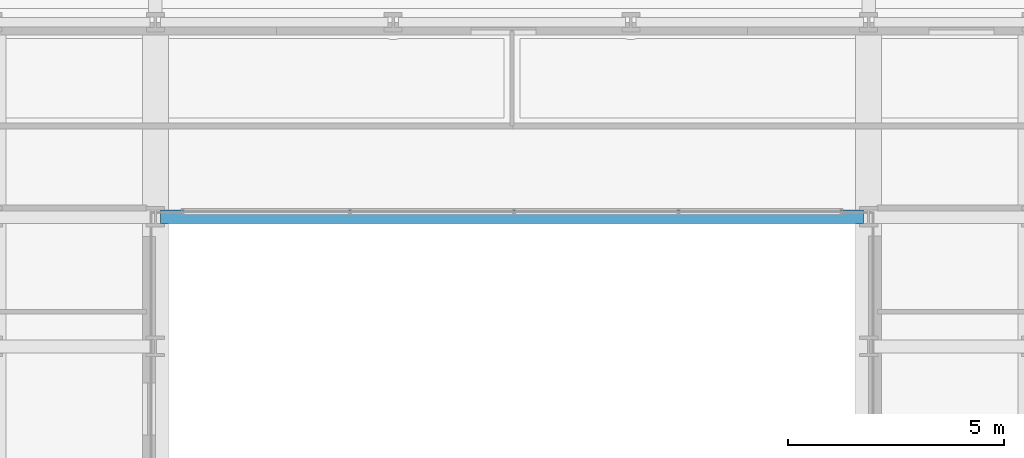
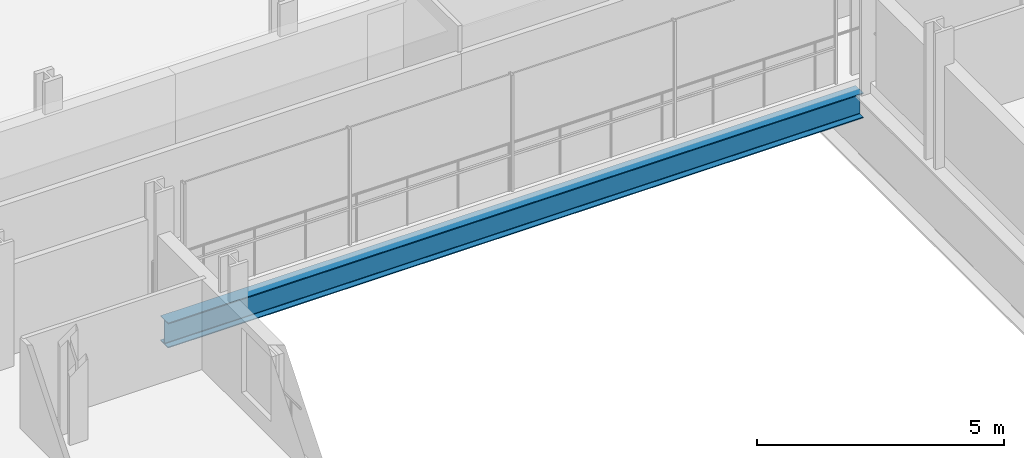
# One storey, part 10 of 38: 1 beam.
"""IFC4 building model written with IfcOpenShell, lengths in metres."""

from ifc_helpers import new_model, si_unit, direction, frame, origin, origin_2d, place, context, subcontext, project, spatial, i_section, extrude, material, material_profile, profile_set, type_object, element, save


model = new_model("IFC4")

# Units and contexts
model_context = context("Model", 3, precision=1e-05, world=origin(), true_north=direction((0.0, 1.0)))
body_context = subcontext(model_context, "Body", "Model", "MODEL_VIEW")
ifc_project = project(units=[si_unit("LENGTHUNIT", "METRE"), si_unit("AREAUNIT", "SQUARE_METRE"), si_unit("VOLUMEUNIT", "CUBIC_METRE"), si_unit("PLANEANGLEUNIT", "RADIAN"), si_unit("MASSUNIT", "GRAM", prefix="KILO")], contexts=[model_context])

# Site, building, storey
site_placement = place(None, origin())
site = spatial("IfcSite", under=ifc_project, at=site_placement, CompositionType="ELEMENT")
building_placement = place(site_placement, origin())
building = spatial("IfcBuilding", under=site, at=building_placement, Name="Brevholm Reach", CompositionType="ELEMENT")
storey_placement = place(building_placement, frame((0.0, 0.0, 28.0)))
storey = spatial("IfcBuildingStorey", under=building, at=storey_placement, Name="L06", CompositionType="ELEMENT", Elevation=28.0)

# Beam
ifc_material = material(Name="Structural Steel S355J2", Category="steel")
ifc_material_profile = material_profile(ifc_material, i_section(OverallWidth=0.30712890625, OverallDepth=0.6201171875, WebThickness=0.01416015625, FlangeThickness=0.023681640625, FilletRadius=0.0166015625, at=origin_2d()), Name="UKB 610x305x179")
ifc_profile_set = profile_set([ifc_material_profile], Name="Structural Steel S355J2")
beam_type = type_object("IfcBeamType", Name="BM-UKB610H", PredefinedType="USERDEFINED", material=ifc_profile_set)
beam_placement = place(storey_placement, frame((21.8701171875, 26.5, -0.580078125), z_axis=(1.0, 0.0, 0.0), x_axis=(0.0, 1.0, 0.0)))
element("IfcBeam", 1, at=beam_placement, inside=storey, type_object=beam_type, Name="L06 G-06 Framing Beam", ObjectType="GIRDER", PredefinedType="USERDEFINED", context=body_context, shape_type="SweptSolid", body=[
    extrude(i_section(OverallWidth=0.30712890625, OverallDepth=0.6201171875, WebThickness=0.01416015625, FlangeThickness=0.023681640625, FilletRadius=0.0166015625, at=origin_2d()), origin(), (0.0, 0.0, 1.0), 16.259765625),
])

save(model, "model.ifc")
